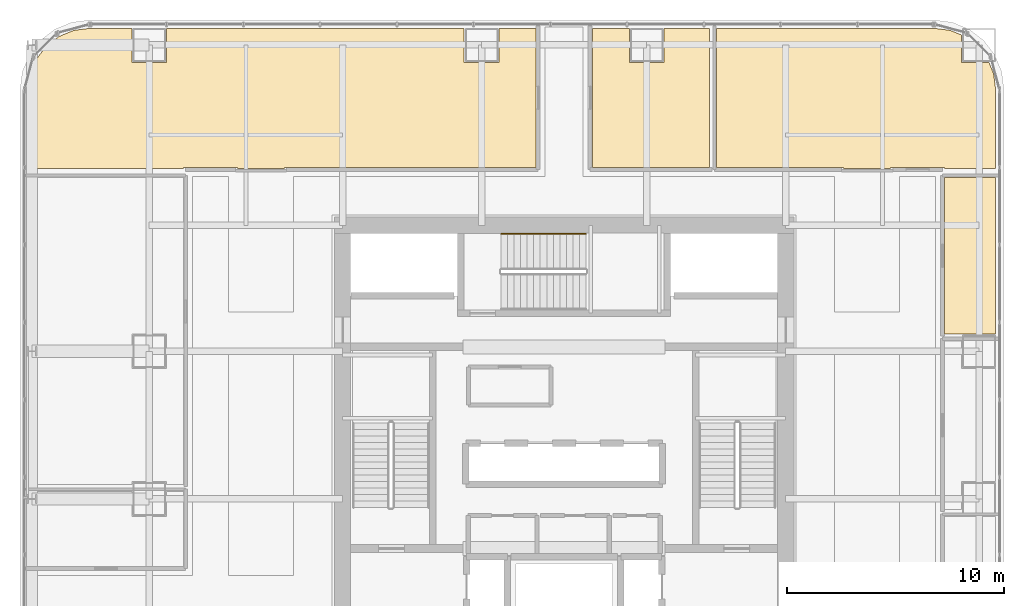
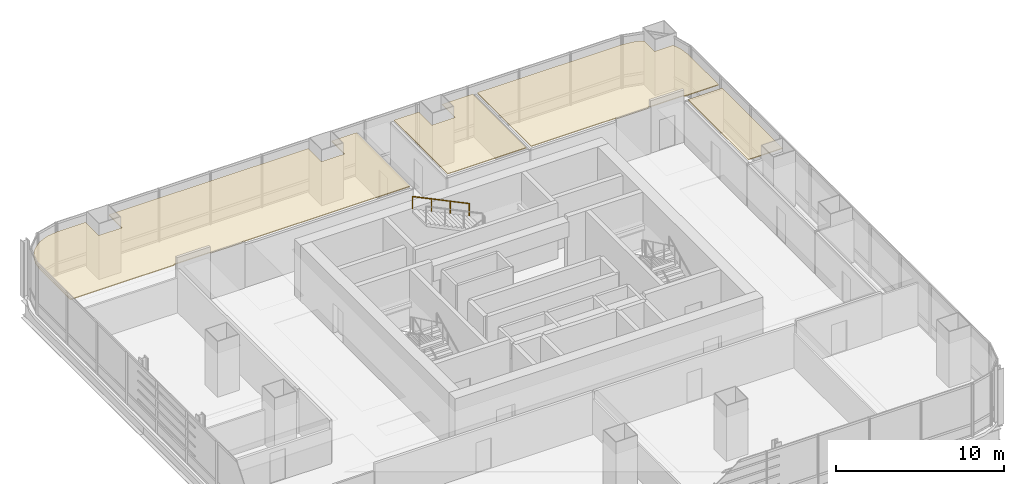
# One storey, part 36 of 36: 4 coverings, 1 railing.
"""IFC4 building model written with IfcOpenShell, lengths in metres."""

from ifc_helpers import new_model, si_unit, direction, frame, origin, origin_2d, place, context, subcontext, project, spatial, polyline, circle, outline, extrude, material, layer, layer_set, type_object, element, save


model = new_model("IFC4")

# Units and contexts
model_context = context("Model", 3, precision=1e-05, world=origin(), true_north=direction((0.0, 1.0)))
body_context = subcontext(model_context, "Body", "Model", "MODEL_VIEW")
ifc_project = project(units=[si_unit("LENGTHUNIT", "METRE"), si_unit("AREAUNIT", "SQUARE_METRE"), si_unit("VOLUMEUNIT", "CUBIC_METRE"), si_unit("PLANEANGLEUNIT", "RADIAN"), si_unit("MASSUNIT", "GRAM", prefix="KILO")], contexts=[model_context])

# Site, building, storey
site_placement = place(None, origin())
site = spatial("IfcSite", under=ifc_project, at=site_placement, CompositionType="ELEMENT")
building_placement = place(site_placement, origin())
building = spatial("IfcBuilding", under=site, at=building_placement, Name="Punatoya Terracotta Tower", CompositionType="ELEMENT")
storey_placement = place(building_placement, frame((0.0, 0.0, 36.300048828125)))
storey = spatial("IfcBuildingStorey", under=building, at=storey_placement, Name="L07", CompositionType="ELEMENT", Elevation=36.300048828125)

# Coverings
ifc_material_1 = material(Name="Acoustic Mineral Fibre Ceiling")
ifc_layer = layer(ifc_material_1, 0.06005859375)
ifc_layer_set = layer_set([ifc_layer], Name="Acoustic Mineral Fibre Ceiling")
covering_type = type_object("IfcCoveringType", Name="COV-CEIL-60", PredefinedType="CEILING", material=ifc_layer_set)
covering_1_placement = place(storey_placement, frame((0.0, 0.0, 3.199951171875)))
element("IfcCovering", 1, at=covering_1_placement, inside=storey, type_object=covering_type, Name="L07 Systems Engineering Office Acoustic Ceiling", PredefinedType="CEILING", context=body_context, shape_type="SweptSolid", body=[
    extrude(outline(polyline([(17.52001953125, 11.389892578125), (17.52001953125, 4.202880859375), (19.8701171875, 4.202880859375), (19.8701171875, 11.389892578125), (17.52001953125, 11.389892578125)])), origin(), (0.0, 0.0, 1.0), 0.06005859375),
])
covering_2_placement = place(storey_placement, frame((0.0, 0.0, 3.199951171875)))
element("IfcCovering", 2, at=covering_2_placement, inside=storey, type_object=covering_type, Name="L07 Quantitative Practice Office Acoustic Ceiling", PredefinedType="CEILING", context=body_context, shape_type="SweptSolid", body=[
    extrude(outline(polyline([(-21.8251953125, 18.27001953125), (-22.5791015625, 18.1708984375), (-23.25830078125, 17.889404296875), (-23.841796875, 17.441650390625), (-24.289306640625, 16.8583984375), (-24.57080078125, 16.178955078125), (-24.669921875, 15.425048828125), (-24.669921875, 11.81005859375), (-17.52001953125, 11.81005859375), (-17.52001953125, 11.8701171875), (-15.030029296875, 11.8701171875), (-15.030029296875, 11.81005859375), (-12.8701171875, 11.81005859375), (-12.8701171875, 11.8701171875), (-1.300048828125, 11.8701171875), (-1.300048828125, 18.27001953125), (-3.0, 18.27001953125), (-3.0, 16.699951171875), (-4.60009765625, 16.699951171875), (-4.60009765625, 18.27001953125), (-18.300048828125, 18.27001953125), (-18.300048828125, 16.699951171875), (-19.89990234375, 16.699951171875), (-19.89990234375, 18.27001953125), (-21.8251953125, 18.27001953125)])), origin(), (0.0, 0.0, 1.0), 0.06005859375),
])
covering_3_placement = place(storey_placement, frame((0.0, 0.0, 3.199951171875)))
element("IfcCovering", 3, at=covering_3_placement, inside=storey, type_object=covering_type, Name="L07 Open-Plan Regional Operations Office Acoustic Ceiling", PredefinedType="CEILING", context=body_context, shape_type="SweptSolid", body=[
    extrude(outline(polyline([(12.8701171875, 11.81005859375), (15.030029296875, 11.81005859375), (15.030029296875, 11.8701171875), (17.52001953125, 11.8701171875), (17.52001953125, 11.81005859375), (19.8701171875, 11.81005859375), (19.8701171875, 15.425048828125), (19.770751953125, 16.178955078125), (19.554931640625, 16.699951171875), (18.300048828125, 16.699951171875), (18.300048828125, 17.955078125), (17.779052734375, 18.1708984375), (17.025146484375, 18.27001953125), (7.02001953125, 18.27001953125), (7.02001953125, 11.8701171875), (12.8701171875, 11.8701171875), (12.8701171875, 11.81005859375)])), origin(), (0.0, 0.0, 1.0), 0.06005859375),
])
covering_4_placement = place(storey_placement, frame((0.0, 0.0, 3.199951171875)))
element("IfcCovering", 4, at=covering_4_placement, inside=storey, type_object=covering_type, Name="L07 Open-Plan Global Desk Workplace Acoustic Ceiling", PredefinedType="CEILING", context=body_context, shape_type="SweptSolid", body=[
    extrude(outline(polyline([(4.60009765625, 16.699951171875), (3.0, 16.699951171875), (3.0, 18.27001953125), (1.300048828125, 18.27001953125), (1.300048828125, 11.8701171875), (6.699951171875, 11.8701171875), (6.699951171875, 18.27001953125), (4.60009765625, 18.27001953125), (4.60009765625, 16.699951171875)])), origin(), (0.0, 0.0, 1.0), 0.06005859375),
])

# Railing
ifc_material_2 = material(Name="Steel S355", Category="steel")
railing_type = type_object("IfcRailingType", Name="RLG-HND-900", PredefinedType="HANDRAIL", material=ifc_material_2)
railing_placement = place(storey_placement, frame((1.0, 8.800048828125, 2.169677734375)))
element("IfcRailing", 5, at=railing_placement, inside=storey, type_object=railing_type, Name="L07 ST-3 stair handrail 2", PredefinedType="HANDRAIL", context=body_context, shape_type="SweptSolid", body=[
    extrude(circle(Radius=0.02392578125, at=origin_2d()), frame((0.0, 0.0, 0.8759765625), z_axis=(-0.900763166376, 0.0, 0.434310623978), x_axis=(0.0, -1.0, 0.0)), (0.0, 0.0, 1.0), 4.32958984375),
    extrude(circle(Radius=0.02099609375, at=origin_2d()), origin(), (0.0, 0.0, 1.0), 0.851806640625),
    extrude(circle(Radius=0.02099609375, at=origin_2d()), frame((-1.300048828125, 0.0, 0.626708984375)), (0.0, 0.0, 1.0), 0.851806640625),
    extrude(circle(Radius=0.02099609375, at=origin_2d()), frame((-2.599853515625, 0.0, 1.253662109375)), (0.0, 0.0, 1.0), 0.851806640625),
    extrude(circle(Radius=0.02099609375, at=origin_2d()), frame((-3.89990234375, 0.0, 1.88037109375)), (0.0, 0.0, 1.0), 0.851806640625),
])

save(model, "model.ifc")
